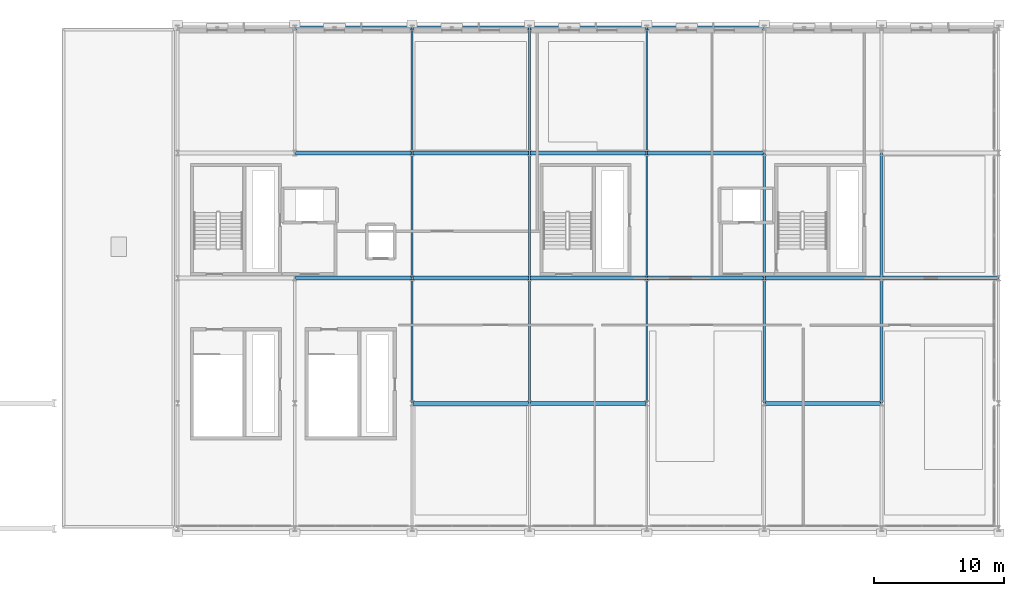
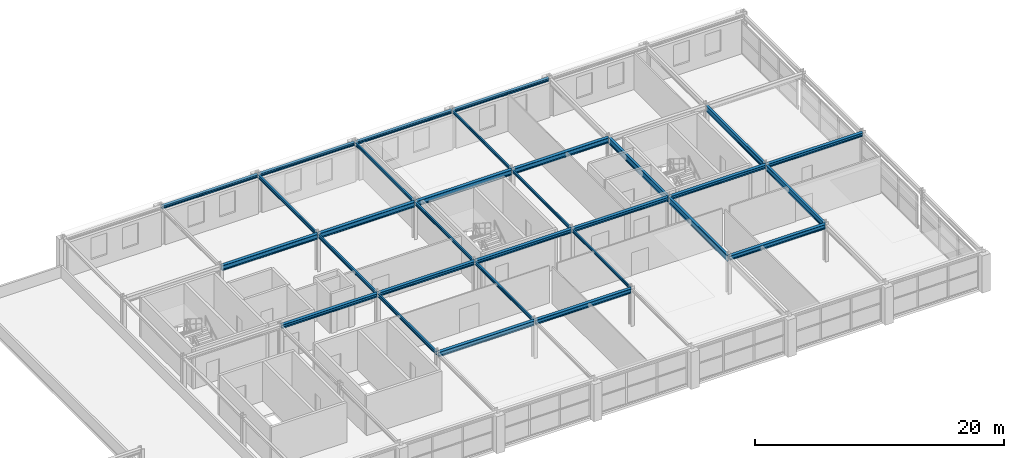
# One storey, part 28 of 52: 30 beams.
"""IFC4 building model written with IfcOpenShell, lengths in metres."""

from ifc_helpers import new_model, si_unit, direction, frame, origin, origin_2d, place, context, subcontext, project, spatial, i_section, extrude, material, material_profile, profile_set, type_object, element, save


model = new_model("IFC4")

# Units and contexts
model_context = context("Model", 3, precision=1e-05, world=origin(), true_north=direction((0.0, 1.0)))
body_context = subcontext(model_context, "Body", "Model", "MODEL_VIEW")
ifc_project = project(units=[si_unit("LENGTHUNIT", "METRE"), si_unit("AREAUNIT", "SQUARE_METRE"), si_unit("VOLUMEUNIT", "CUBIC_METRE"), si_unit("PLANEANGLEUNIT", "RADIAN"), si_unit("MASSUNIT", "GRAM", prefix="KILO")], contexts=[model_context])

# Site, building, storey
site_placement = place(None, origin())
site = spatial("IfcSite", under=ifc_project, at=site_placement, CompositionType="ELEMENT")
building_placement = place(site_placement, origin())
building = spatial("IfcBuilding", under=site, at=building_placement, Name="Myrtia Square Station", CompositionType="ELEMENT")
storey_placement = place(building_placement, frame((0.0, 0.0, 15.0)))
storey = spatial("IfcBuildingStorey", under=building, at=storey_placement, Name="L03", CompositionType="ELEMENT", Elevation=15.0)

# Beams
ifc_material = material(Name="Steel S355", Category="steel")
ifc_material_profile_1 = material_profile(ifc_material, i_section(OverallWidth=0.300048828125, OverallDepth=0.35009765625, WebThickness=0.010009765625, FlangeThickness=0.017578125, FilletRadius=0.027099609375, at=origin_2d()), Name="HEA 360")
ifc_profile_set_1 = profile_set([ifc_material_profile_1], Name="Steel S355")
beam_type_1 = type_object("IfcBeamType", Name="BM-HEA360", PredefinedType="BEAM", material=ifc_profile_set_1)
for number, where, z_axis, x_axis, name in (
    (1, (135.050048828125, 105.60009765625, 3.485107421875), (1.0, 0.0, 0.0), (0.0, 1.0, 0.0), "Structural girder BMX-L03-0830"),
    (2, (144.050048828125, 105.60009765625, 3.485107421875), (1.0, 0.0, 0.0), (0.0, 1.0, 0.0), "Structural girder BMX-L03-0831"),
    (3, (153.050048828125, 105.60009765625, 3.485107421875), (1.0, 0.0, 0.0), (0.0, 1.0, 0.0), "Structural girder BMX-L03-0832"),
    (4, (162.050048828125, 105.60009765625, 3.485107421875), (1.0, 0.0, 0.0), (0.0, 1.0, 0.0), "Structural girder BMX-L03-0833"),
    (5, (171.050048828125, 105.60009765625, 3.485107421875), (1.0, 0.0, 0.0), (0.0, 1.0, 0.0), "Structural girder BMX-L03-0834"),
    (6, (180.050048828125, 105.60009765625, 3.485107421875), (1.0, 0.0, 0.0), (0.0, 1.0, 0.0), "Structural girder BMX-L03-0835"),
):
    element("IfcBeam", number, at=place(storey_placement, frame(where, z_axis=z_axis, x_axis=x_axis)), inside=storey, type_object=beam_type_1, Name=name, PredefinedType="BEAM", context=body_context, shape_type="SweptSolid", body=[
        extrude(i_section(OverallWidth=0.300048828125, OverallDepth=0.35009765625, WebThickness=0.010009765625, FlangeThickness=0.017578125, FilletRadius=0.027099609375, at=origin_2d()), origin(), (0.0, 0.0, 1.0), 8.89990234375),
    ])
ifc_material_profile_2 = material_profile(ifc_material, i_section(OverallWidth=0.300048828125, OverallDepth=0.43994140625, WebThickness=0.011474609375, FlangeThickness=0.02099609375, FilletRadius=0.027099609375, at=origin_2d()), Name="HEA 450")
ifc_profile_set_2 = profile_set([ifc_material_profile_2], Name="Steel S355")
beam_type_2 = type_object("IfcBeamType", Name="BM-HEA450", PredefinedType="BEAM", material=ifc_profile_set_2)
for number, where, z_axis, x_axis, name in (
    (7, (144.050048828125, 96.0, 3.43505859375), (1.0, 0.0, 0.0), (0.0, 1.0, 0.0), "Structural girder BMX-L03-0826"),
    (8, (153.050048828125, 96.0, 3.43505859375), (1.0, 0.0, 0.0), (0.0, 1.0, 0.0), "Structural girder BMX-L03-0827"),
    (9, (171.050048828125, 96.0, 3.43994140625), (1.0, 0.0, 0.0), (0.0, 1.0, 0.0), "Structural girder BMX-L03-0828"),
):
    element("IfcBeam", number, at=place(storey_placement, frame(where, z_axis=z_axis, x_axis=x_axis)), inside=storey, type_object=beam_type_2, Name=name, PredefinedType="BEAM", context=body_context, shape_type="SweptSolid", body=[
        extrude(i_section(OverallWidth=0.300048828125, OverallDepth=0.43994140625, WebThickness=0.011474609375, FlangeThickness=0.02099609375, FilletRadius=0.027099609375, at=origin_2d()), origin(), (0.0, 0.0, 1.0), 8.89990234375),
    ])
ifc_material_profile_3 = material_profile(ifc_material, i_section(OverallWidth=0.300048828125, OverallDepth=0.5, WebThickness=0.014404296875, FlangeThickness=0.028076171875, FilletRadius=0.027099609375, at=origin_2d()), Name="HEB 500")
ifc_profile_set_3 = profile_set([ifc_material_profile_3], Name="Steel S355")
beam_type_3 = type_object("IfcBeamType", Name="BM-HEB500", PredefinedType="BEAM", material=ifc_profile_set_3)
for number, where, z_axis, x_axis, name in (
    (10, (135.050048828125, 115.199951171875, 3.409912109375), (1.0, 0.0, 0.0), (0.0, 1.0, 0.0), "Structural girder BMX-L03-0837"),
    (11, (144.050048828125, 115.199951171875, 3.409912109375), (1.0, 0.0, 0.0), (0.0, 1.0, 0.0), "Structural girder BMX-L03-0838"),
    (12, (153.050048828125, 115.199951171875, 3.409912109375), (1.0, 0.0, 0.0), (0.0, 1.0, 0.0), "Structural girder BMX-L03-0839"),
    (13, (162.050048828125, 115.199951171875, 3.409912109375), (1.0, 0.0, 0.0), (0.0, 1.0, 0.0), "Structural girder BMX-L03-0840"),
):
    element("IfcBeam", number, at=place(storey_placement, frame(where, z_axis=z_axis, x_axis=x_axis)), inside=storey, type_object=beam_type_3, Name=name, PredefinedType="BEAM", context=body_context, shape_type="SweptSolid", body=[
        extrude(i_section(OverallWidth=0.300048828125, OverallDepth=0.5, WebThickness=0.014404296875, FlangeThickness=0.028076171875, FilletRadius=0.027099609375, at=origin_2d()), origin(), (0.0, 0.0, 1.0), 8.89990234375),
    ])
ifc_material_profile_4 = material_profile(ifc_material, i_section(OverallWidth=0.135009765625, OverallDepth=0.27001953125, WebThickness=0.006591796875, FlangeThickness=0.01025390625, FilletRadius=0.014892578125, at=origin_2d()), Name="IPE 270")
ifc_profile_set_4 = profile_set([ifc_material_profile_4], Name="Steel S355")
beam_type_4 = type_object("IfcBeamType", Name="BM-IPE270", PredefinedType="BEAM", material=ifc_profile_set_4)
for number, where, z_axis, x_axis, name in (
    (14, (162.0, 96.050048828125, 3.52490234375), (0.0, 1.0, 0.0), (-1.0, 0.0, 0.0), "Structural girder BMY-L03-0855"),
    (15, (162.0, 105.64990234375, 3.52490234375), (0.0, 1.0, 0.0), (-1.0, 0.0, 0.0), "Structural girder BMY-L03-0856"),
    (16, (162.0, 115.25, 3.52490234375), (0.0, 1.0, 0.0), (-1.0, 0.0, 0.0), "Structural girder BMY-L03-0857"),
):
    element("IfcBeam", number, at=place(storey_placement, frame(where, z_axis=z_axis, x_axis=x_axis)), inside=storey, type_object=beam_type_4, Name=name, PredefinedType="BEAM", context=body_context, shape_type="SweptSolid", body=[
        extrude(i_section(OverallWidth=0.135009765625, OverallDepth=0.27001953125, WebThickness=0.006591796875, FlangeThickness=0.01025390625, FilletRadius=0.014892578125, at=origin_2d()), origin(), (0.0, 0.0, 1.0), 9.5),
    ])
ifc_material_profile_5 = material_profile(ifc_material, i_section(OverallWidth=0.14990234375, OverallDepth=0.300048828125, WebThickness=0.007080078125, FlangeThickness=0.0107421875, FilletRadius=0.014892578125, at=origin_2d()), Name="IPE 300")
ifc_profile_set_5 = profile_set([ifc_material_profile_5], Name="Steel S355")
beam_type_5 = type_object("IfcBeamType", Name="BM-IPE300", PredefinedType="BEAM", material=ifc_profile_set_5)
for number, where, z_axis, x_axis, name in (
    (17, (153.0, 96.050048828125, 3.510009765625), (0.0, 1.0, 0.0), (-1.0, 0.0, 0.0), "Structural girder BMY-L03-0851"),
    (18, (153.0, 105.64990234375, 3.510009765625), (0.0, 1.0, 0.0), (-1.0, 0.0, 0.0), "Structural girder BMY-L03-0852"),
    (19, (153.0, 115.25, 3.510009765625), (0.0, 1.0, 0.0), (-1.0, 0.0, 0.0), "Structural girder BMY-L03-0853"),
):
    element("IfcBeam", number, at=place(storey_placement, frame(where, z_axis=z_axis, x_axis=x_axis)), inside=storey, type_object=beam_type_5, Name=name, PredefinedType="BEAM", context=body_context, shape_type="SweptSolid", body=[
        extrude(i_section(OverallWidth=0.14990234375, OverallDepth=0.300048828125, WebThickness=0.007080078125, FlangeThickness=0.0107421875, FilletRadius=0.014892578125, at=origin_2d()), origin(), (0.0, 0.0, 1.0), 9.5),
    ])
ifc_material_profile_6 = material_profile(ifc_material, i_section(OverallWidth=0.159912109375, OverallDepth=0.330078125, WebThickness=0.007568359375, FlangeThickness=0.011474609375, FilletRadius=0.01806640625, at=origin_2d()), Name="IPE 330")
ifc_profile_set_6 = profile_set([ifc_material_profile_6], Name="Steel S355")
beam_type_6 = type_object("IfcBeamType", Name="BM-IPE330", PredefinedType="BEAM", material=ifc_profile_set_6)
for number, where, z_axis, x_axis, name in (
    (20, (144.0, 96.050048828125, 3.4951171875), (0.0, 1.0, 0.0), (-1.0, 0.0, 0.0), "Structural girder BMY-L03-0847"),
    (21, (144.0, 105.64990234375, 3.4951171875), (0.0, 1.0, 0.0), (-1.0, 0.0, 0.0), "Structural girder BMY-L03-0848"),
    (22, (144.0, 115.25, 3.4951171875), (0.0, 1.0, 0.0), (-1.0, 0.0, 0.0), "Structural girder BMY-L03-0849"),
):
    element("IfcBeam", number, at=place(storey_placement, frame(where, z_axis=z_axis, x_axis=x_axis)), inside=storey, type_object=beam_type_6, Name=name, PredefinedType="BEAM", context=body_context, shape_type="SweptSolid", body=[
        extrude(i_section(OverallWidth=0.159912109375, OverallDepth=0.330078125, WebThickness=0.007568359375, FlangeThickness=0.011474609375, FilletRadius=0.01806640625, at=origin_2d()), origin(), (0.0, 0.0, 1.0), 9.5),
    ])
ifc_material_profile_7 = material_profile(ifc_material, i_section(OverallWidth=0.2099609375, OverallDepth=0.550048828125, WebThickness=0.010986328125, FlangeThickness=0.01708984375, FilletRadius=0.02392578125, at=origin_2d()), Name="IPE 550")
ifc_profile_set_7 = profile_set([ifc_material_profile_7], Name="Steel S355")
beam_type_7 = type_object("IfcBeamType", Name="BM-IPE550", PredefinedType="BEAM", material=ifc_profile_set_7)
for number, where, z_axis, x_axis, name in (
    (23, (180.0, 96.050048828125, 3.385009765625), (0.0, 1.0, 0.0), (-1.0, 0.0, 0.0), "Structural girder BMY-L03-0863"),
    (24, (180.0, 105.64990234375, 3.385009765625), (0.0, 1.0, 0.0), (-1.0, 0.0, 0.0), "Structural girder BMY-L03-0864"),
):
    element("IfcBeam", number, at=place(storey_placement, frame(where, z_axis=z_axis, x_axis=x_axis)), inside=storey, type_object=beam_type_7, Name=name, PredefinedType="BEAM", context=body_context, shape_type="SweptSolid", body=[
        extrude(i_section(OverallWidth=0.2099609375, OverallDepth=0.550048828125, WebThickness=0.010986328125, FlangeThickness=0.01708984375, FilletRadius=0.02392578125, at=origin_2d()), origin(), (0.0, 0.0, 1.0), 9.5),
    ])
ifc_material_profile_8 = material_profile(ifc_material, i_section(OverallWidth=0.219970703125, OverallDepth=0.60009765625, WebThickness=0.011962890625, FlangeThickness=0.01904296875, FilletRadius=0.02392578125, at=origin_2d()), Name="IPE 600")
ifc_profile_set_8 = profile_set([ifc_material_profile_8], Name="Steel S355")
beam_type_8 = type_object("IfcBeamType", Name="BM-IPE600", PredefinedType="BEAM", material=ifc_profile_set_8)
for number, where, z_axis, x_axis, name in (
    (25, (171.0, 96.050048828125, 3.360107421875), (0.0, 1.0, 0.0), (-1.0, 0.0, 0.0), "Structural girder BMY-L03-0859"),
    (26, (171.0, 105.64990234375, 3.360107421875), (0.0, 1.0, 0.0), (-1.0, 0.0, 0.0), "Structural girder BMY-L03-0860"),
):
    element("IfcBeam", number, at=place(storey_placement, frame(where, z_axis=z_axis, x_axis=x_axis)), inside=storey, type_object=beam_type_8, Name=name, PredefinedType="BEAM", context=body_context, shape_type="SweptSolid", body=[
        extrude(i_section(OverallWidth=0.219970703125, OverallDepth=0.60009765625, WebThickness=0.011962890625, FlangeThickness=0.01904296875, FilletRadius=0.02392578125, at=origin_2d()), origin(), (0.0, 0.0, 1.0), 9.5),
    ])
ifc_material_profile_9 = material_profile(ifc_material, i_section(OverallWidth=0.280029296875, OverallDepth=0.280029296875, WebThickness=0.010498046875, FlangeThickness=0.01806640625, FilletRadius=0.02392578125, at=origin_2d()), Name="HEB 280")
ifc_profile_set_9 = profile_set([ifc_material_profile_9], Name="Steel S355")
beam_type_9 = type_object("IfcBeamType", Name="SPN-HEB280", PredefinedType="SPANDREL", material=ifc_profile_set_9)
for number, where, z_axis, x_axis, name in (
    (27, (135.050048828125, 124.800048828125, 3.52001953125), (1.0, 0.0, 0.0), (0.0, 1.0, 0.0), "Structural girder SPN-L03-0243"),
    (28, (144.050048828125, 124.800048828125, 3.52001953125), (1.0, 0.0, 0.0), (0.0, 1.0, 0.0), "Structural girder SPN-L03-0244"),
    (29, (153.050048828125, 124.800048828125, 3.52001953125), (1.0, 0.0, 0.0), (0.0, 1.0, 0.0), "Structural girder SPN-L03-0245"),
    (30, (162.050048828125, 124.800048828125, 3.52001953125), (1.0, 0.0, 0.0), (0.0, 1.0, 0.0), "Structural girder SPN-L03-0246"),
):
    element("IfcBeam", number, at=place(storey_placement, frame(where, z_axis=z_axis, x_axis=x_axis)), inside=storey, type_object=beam_type_9, Name=name, PredefinedType="SPANDREL", context=body_context, shape_type="SweptSolid", body=[
        extrude(i_section(OverallWidth=0.280029296875, OverallDepth=0.280029296875, WebThickness=0.010498046875, FlangeThickness=0.01806640625, FilletRadius=0.02392578125, at=origin_2d()), origin(), (0.0, 0.0, 1.0), 8.89990234375),
    ])

save(model, "model.ifc")
